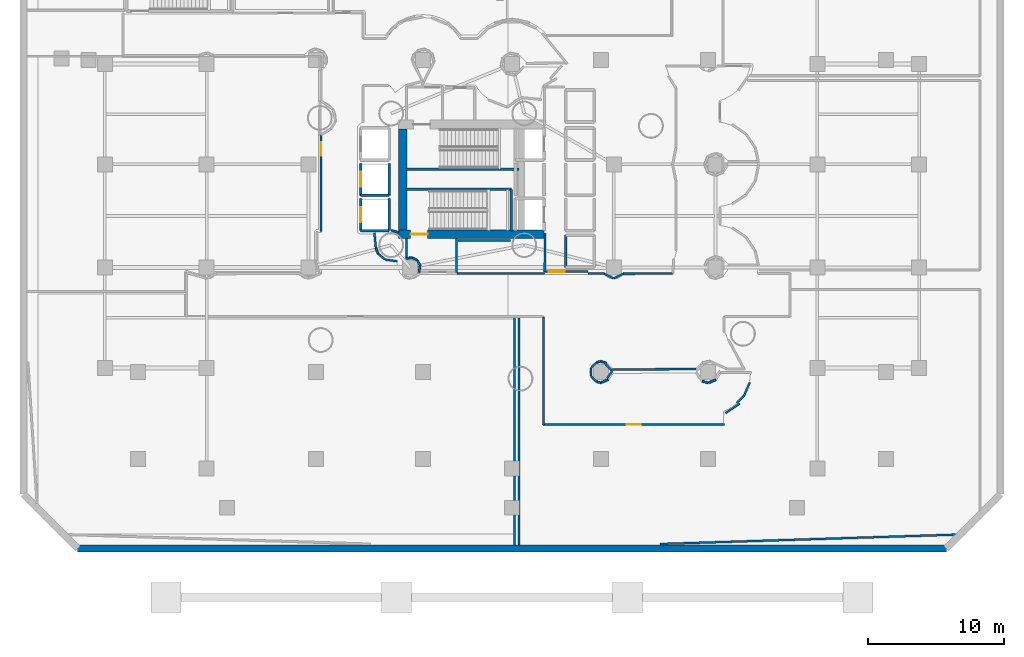
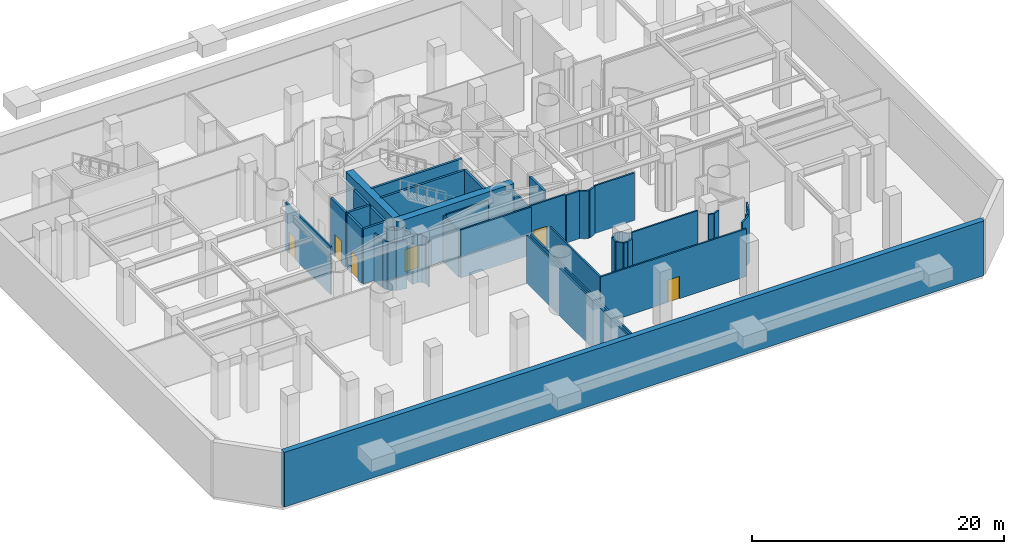
# One storey, part 3 of 11: 53 walls, 6 doors, 6 openings.
"""IFC4 building model written with IfcOpenShell, lengths in metres."""

from ifc_helpers import new_model, si_unit, direction, frame, frame_2d, origin, place, context, subcontext, project, spatial, rectangle, extrude, material, layer, layer_set, type_object, element, fill, save


model = new_model("IFC4")

# Units and contexts
model_context = context("Model", 3, precision=1e-05, world=origin(), true_north=direction((0.0, 1.0)))
body_context = subcontext(model_context, "Body", "Model", "MODEL_VIEW")
ifc_project = project(units=[si_unit("LENGTHUNIT", "METRE"), si_unit("AREAUNIT", "SQUARE_METRE"), si_unit("VOLUMEUNIT", "CUBIC_METRE"), si_unit("PLANEANGLEUNIT", "RADIAN"), si_unit("MASSUNIT", "GRAM", prefix="KILO")], contexts=[model_context])

# Site, building, storey
site_placement = place(None, origin())
site = spatial("IfcSite", under=ifc_project, at=site_placement, CompositionType="ELEMENT")
building_placement = place(site_placement, origin())
building = spatial("IfcBuilding", under=site, at=building_placement, Name="Qianvela Tower", CompositionType="ELEMENT")
storey_placement = place(building_placement, frame((0.0, 0.0, -5.60009765625)))
storey = spatial("IfcBuildingStorey", under=building, at=storey_placement, Name="B01", CompositionType="ELEMENT", Elevation=-5.60009765625)

# Wall, opening, door
ifc_material_1 = material(Name="Concrete C60", Category="concrete")
ifc_layer_1 = layer(ifc_material_1, 0.64990234375)
ifc_layer_set_1 = layer_set([ifc_layer_1], Name="Concrete C60")
wall_type_1 = type_object("IfcWallType", Name="WT-CORE-650", PredefinedType="SHEAR", material=ifc_layer_set_1)
wall_1_placement = place(storey_placement, frame((29.1298828125, 24.655029296875, 0.0), z_axis=(0.0, 0.0, 1.0), x_axis=(1.0, 0.0, 0.0)))
wall_1 = element("IfcWall", 1, at=wall_1_placement, inside=storey, type_object=wall_type_1, Name="B01 South Core Shear Wall", PredefinedType="SHEAR", context=body_context, shape_type="SweptSolid", body=[
    extrude(rectangle(XDim=10.72021484375, YDim=0.64990234375, at=frame_2d((5.360107421875, 0.0))), origin(), (0.0, 0.0, 1.0), 5.300048828125),
])
opening_1_placement = place(wall_1_placement, frame((0.89501953125, 0.0, 0.0)))
opening_1 = element("IfcOpeningElement", 2, at=opening_1_placement, cuts=wall_1, Name="Opening D-ST1", PredefinedType="OPENING", context=body_context, shape_type="SweptSolid", body=[
    extrude(rectangle(XDim=1.25, YDim=2.14990234375, at=frame_2d((0.625, 1.074951171875))), frame((0.0, 0.3349609375, 0.0), z_axis=(0.0, -1.0, 0.0), x_axis=(1.0, 0.0, 0.0)), (0.0, 0.0, 1.0), 0.669921875),
])
ifc_material_2 = material(Name="Galvanised Fire Steel Q355B", Category="steel")
door_type_1 = type_object("IfcDoorType", Name="DT-STAIR-FD90", OperationType="NOTDEFINED", PredefinedType="DOOR", material=ifc_material_2)
door_1_placement = place(opening_1_placement, origin())
door_1 = element("IfcDoor", 3, at=door_1_placement, inside=storey, type_object=door_type_1, Name="B01 Stair ST-2 Exit Door", OperationType="SINGLE_SWING_LEFT", OverallHeight=2.14990234375, OverallWidth=1.25, PredefinedType="DOOR", context=body_context, shape_type="SweptSolid", body=[
    extrude(rectangle(XDim=1.25, YDim=2.14990234375, at=frame_2d((0.625, 1.074951171875))), frame((0.0, 0.02490234375, 0.0), z_axis=(0.0, -1.0, 0.0), x_axis=(1.0, 0.0, 0.0)), (0.0, 0.0, 1.0), 0.050048828125),
])
fill(opening_1, door_1)

# Walls
wall_2_placement = place(storey_placement, frame((29.455078125, 24.97998046875, 0.0), z_axis=(0.0, 0.0, 1.0), x_axis=(0.0, 1.0, 0.0)))
element("IfcWall", 4, at=wall_2_placement, inside=storey, type_object=wall_type_1, Name="B01 West Core Shear Wall", PredefinedType="SHEAR", context=body_context, shape_type="SweptSolid", body=[
    extrude(rectangle(XDim=7.43994140625, YDim=0.64990234375, at=frame_2d((3.719970703125, 0.0))), origin(), (0.0, 0.0, 1.0), 5.300048828125),
])
ifc_material_3 = material(Name="Fire-Rated Acoustic Gypsum Board")
ifc_layer_2 = layer(ifc_material_3, 0.14990234375)
ifc_layer_set_2 = layer_set([ifc_layer_2], Name="Fire-Rated Acoustic Gypsum Board")
wall_type_2 = type_object("IfcWallType", Name="WT-CORR-150", PredefinedType="PARTITIONING", material=ifc_layer_set_2)
wall_3_placement = place(storey_placement, frame((30.644775390625, 21.844970703125, 0.0), z_axis=(0.0, 0.0, 1.0), x_axis=(0.16559769087, 0.986193391165, 0.0)))
element("IfcWall", 5, at=wall_3_placement, inside=storey, type_object=wall_type_2, Name="B01 Partition 5", PredefinedType="PARTITIONING", context=body_context, shape_type="SweptSolid", body=[
    extrude(rectangle(XDim=0.495361328125, YDim=0.14990234375, at=frame_2d((0.24755859375, 0.0))), origin(), (0.0, 0.0, 1.0), 4.47802734375),
])
wall_4_placement = place(storey_placement, frame((30.7236328125, 22.35302734375, 0.0), z_axis=(0.0, 0.0, 1.0), x_axis=(-0.471202615726, 0.882024996773, 0.0)))
element("IfcWall", 6, at=wall_4_placement, inside=storey, type_object=wall_type_2, Name="B01 Partition 6", PredefinedType="PARTITIONING", context=body_context, shape_type="SweptSolid", body=[
    extrude(rectangle(XDim=0.412353515625, YDim=0.14990234375, at=frame_2d((0.2060546875, 0.0))), origin(), (0.0, 0.0, 1.0), 4.47802734375),
])
wall_5_placement = place(storey_placement, frame((30.5166015625, 22.7294921875, 0.0), z_axis=(0.0, 0.0, 1.0), x_axis=(-0.882139655073, 0.470987928665, 0.0)))
element("IfcWall", 7, at=wall_5_placement, inside=storey, type_object=wall_type_2, Name="B01 Partition 7", PredefinedType="PARTITIONING", context=body_context, shape_type="SweptSolid", body=[
    extrude(rectangle(XDim=0.412109375, YDim=0.14990234375, at=frame_2d((0.2060546875, 0.0))), origin(), (0.0, 0.0, 1.0), 4.6201171875),
])
wall_6_placement = place(storey_placement, frame((30.134521484375, 22.927001953125, 0.0), z_axis=(0.0, 0.0, 1.0), x_axis=(-0.992106976416, -0.125394367286, 0.0)))
element("IfcWall", 8, at=wall_6_placement, inside=storey, type_object=wall_type_2, Name="B01 Partition 8", PredefinedType="PARTITIONING", context=body_context, shape_type="SweptSolid", body=[
    extrude(rectangle(XDim=0.44189453125, YDim=0.14990234375, at=frame_2d((0.220947265625, 0.0))), origin(), (0.0, 0.0, 1.0), 4.6201171875),
])
wall_7_placement = place(storey_placement, frame((29.73095703125, 22.8408203125, 0.0), z_axis=(0.0, 0.0, 1.0), x_axis=(0.0, 1.0, 0.0)))
element("IfcWall", 9, at=wall_7_placement, inside=storey, type_object=wall_type_2, Name="B01 Partition 9", PredefinedType="PARTITIONING", context=body_context, shape_type="SweptSolid", body=[
    extrude(rectangle(XDim=1.501220703125, YDim=0.14990234375, at=frame_2d((0.75048828125, 0.0))), origin(), (0.0, 0.0, 1.0), 4.6201171875),
])
wall_8_placement = place(storey_placement, frame((33.4189453125, 24.342041015625, 0.0), z_axis=(0.0, 0.0, 1.0), x_axis=(0.0, -1.0, 0.0)))
element("IfcWall", 10, at=wall_8_placement, inside=storey, type_object=wall_type_2, Name="B01 Partition 11", PredefinedType="PARTITIONING", context=body_context, shape_type="SweptSolid", body=[
    extrude(rectangle(XDim=2.491943359375, YDim=0.14990234375, at=frame_2d((1.24609375, 0.0))), origin(), (0.0, 0.0, 1.0), 4.47802734375),
])

# Wall, opening, door
wall_9_placement = place(storey_placement, frame((43.10009765625, 21.89111328125, 0.0), z_axis=(0.0, 0.0, 1.0), x_axis=(-1.0, 0.0, 0.0)))
wall_9 = element("IfcWall", 11, at=wall_9_placement, inside=storey, type_object=wall_type_2, Name="B01 Partition 18", PredefinedType="PARTITIONING", context=body_context, shape_type="SweptSolid", body=[
    extrude(rectangle(XDim=3.22021484375, YDim=0.14990234375, at=frame_2d((1.610107421875, 0.0))), origin(), (0.0, 0.0, 1.0), 4.6201171875),
])
opening_2_placement = place(wall_9_placement, frame((1.7099609375, 0.0, 0.0)))
opening_2 = element("IfcOpeningElement", 12, at=opening_2_placement, cuts=wall_9, Name="Opening D-LB1", PredefinedType="OPENING", context=body_context, shape_type="SweptSolid", body=[
    extrude(rectangle(XDim=1.199951171875, YDim=2.14990234375, at=frame_2d((0.60009765625, 1.074951171875))), frame((0.0, 0.0849609375, 0.0), z_axis=(0.0, -1.0, 0.0), x_axis=(1.0, 0.0, 0.0)), (0.0, 0.0, 1.0), 0.169921875),
])
ifc_material_4 = material(Name="Glazed Fire-Rated Steel Frame", Category="steel")
door_type_2 = type_object("IfcDoorType", Name="DT-LOBBY-FD90", OperationType="NOTDEFINED", PredefinedType="DOOR", material=ifc_material_4)
door_2_placement = place(opening_2_placement, origin())
door_2 = element("IfcDoor", 13, at=door_2_placement, inside=storey, type_object=door_type_2, Name="B01 Door B01 Lift Lobby to B01 Plant and Bicycle Corridor", OperationType="SINGLE_SWING_RIGHT", OverallHeight=2.14990234375, OverallWidth=1.199951171875, PredefinedType="DOOR", context=body_context, shape_type="SweptSolid", body=[
    extrude(rectangle(XDim=1.199951171875, YDim=2.14990234375, at=frame_2d((0.60009765625, 1.074951171875))), frame((0.0, 0.02490234375, 0.0), z_axis=(0.0, -1.0, 0.0), x_axis=(1.0, 0.0, 0.0)), (0.0, 0.0, 1.0), 0.050048828125),
])
fill(opening_2, door_2)

# Walls
wall_10_placement = place(storey_placement, frame((39.910888671875, 21.85986328125, 0.0), z_axis=(0.0, 0.0, 1.0), x_axis=(0.00479752075, 0.999988491831, 0.0)))
element("IfcWall", 14, at=wall_10_placement, inside=storey, type_object=wall_type_2, Name="B01 Partition 19", PredefinedType="PARTITIONING", context=body_context, shape_type="SweptSolid", body=[
    extrude(rectangle(XDim=2.900634765625, YDim=0.14990234375, at=frame_2d((1.4501953125, 0.0))), origin(), (0.0, 0.0, 1.0), 4.47802734375),
])
wall_11_placement = place(storey_placement, frame((29.1298828125, 24.781982421875, 0.0), z_axis=(0.0, 0.0, 1.0), x_axis=(-0.955000482512, 0.296604245422, 0.0)))
element("IfcWall", 15, at=wall_11_placement, inside=storey, type_object=wall_type_2, Name="B01 Partition 29", PredefinedType="PARTITIONING", context=body_context, shape_type="SweptSolid", body=[
    extrude(rectangle(XDim=0.5244140625, YDim=0.14990234375, at=frame_2d((0.26220703125, 0.0))), origin(), (0.0, 0.0, 1.0), 4.6201171875),
])
wall_12_placement = place(storey_placement, frame((37.388671875, 24.180908203125, 0.0), z_axis=(0.0, 0.0, 1.0), x_axis=(-1.0, 0.0, 0.0)))
element("IfcWall", 16, at=wall_12_placement, inside=storey, type_object=wall_type_2, Name="B01 Partition 35", PredefinedType="PARTITIONING", context=body_context, shape_type="SweptSolid", body=[
    extrude(rectangle(XDim=3.858642578125, YDim=0.14990234375, at=frame_2d((1.92919921875, 0.0))), origin(), (0.0, 0.0, 1.0), 4.6201171875),
])
wall_13_placement = place(storey_placement, frame((27.359619140625, 24.757080078125, 0.0), z_axis=(0.0, 0.0, 1.0), x_axis=(0.097947688066, -0.995191564676, 0.0)))
element("IfcWall", 17, at=wall_13_placement, inside=storey, type_object=wall_type_2, Name="B01 Partition 81", PredefinedType="PARTITIONING", context=body_context, shape_type="SweptSolid", body=[
    extrude(rectangle(XDim=1.134033203125, YDim=0.14990234375, at=frame_2d((0.56689453125, 0.0))), origin(), (0.0, 0.0, 1.0), 4.6201171875),
])
wall_14_placement = place(storey_placement, frame((27.472900390625, 23.61962890625, 0.0), z_axis=(0.0, 0.0, 1.0), x_axis=(0.382631351728, -0.923901103298, 0.0)))
element("IfcWall", 18, at=wall_14_placement, inside=storey, type_object=wall_type_2, Name="B01 Partition 82", PredefinedType="PARTITIONING", context=body_context, shape_type="SweptSolid", body=[
    extrude(rectangle(XDim=0.43701171875, YDim=0.14990234375, at=frame_2d((0.218505859375, 0.0))), origin(), (0.0, 0.0, 1.0), 4.6201171875),
])
wall_15_placement = place(storey_placement, frame((27.649169921875, 23.203857421875, 0.0), z_axis=(0.0, 0.0, 1.0), x_axis=(0.772818338666, -0.634627304346, 0.0)))
element("IfcWall", 19, at=wall_15_placement, inside=storey, type_object=wall_type_2, Name="B01 Partition 83", PredefinedType="PARTITIONING", context=body_context, shape_type="SweptSolid", body=[
    extrude(rectangle(XDim=0.650146484375, YDim=0.14990234375, at=frame_2d((0.3251953125, 0.0))), origin(), (0.0, 0.0, 1.0), 4.6201171875),
])
wall_16_placement = place(storey_placement, frame((28.1669921875, 22.78466796875, 0.0), z_axis=(0.0, 0.0, 1.0), x_axis=(0.989291662385, -0.145952069991, 0.0)))
element("IfcWall", 20, at=wall_16_placement, inside=storey, type_object=wall_type_2, Name="B01 Partition 84", PredefinedType="PARTITIONING", context=body_context, shape_type="SweptSolid", body=[
    extrude(rectangle(XDim=0.889892578125, YDim=0.14990234375, at=frame_2d((0.44482421875, 0.0))), origin(), (0.0, 0.0, 1.0), 4.6201171875),
])
wall_17_placement = place(storey_placement, frame((33.449951171875, 21.7490234375, 0.0), z_axis=(0.0, 0.0, 1.0), x_axis=(1.0, 0.0, 0.0)))
element("IfcWall", 21, at=wall_17_placement, inside=storey, type_object=wall_type_2, Name="B01 Partition 88 seg 1", PredefinedType="PARTITIONING", context=body_context, shape_type="SweptSolid", body=[
    extrude(rectangle(XDim=6.429931640625, YDim=0.14990234375, at=frame_2d((3.21484375, 0.0))), origin(), (0.0, 0.0, 1.0), 4.6201171875),
])
wall_18_placement = place(storey_placement, frame((43.10009765625, 21.7490234375, 0.0), z_axis=(0.0, 0.0, 1.0), x_axis=(1.0, 0.0, 0.0)))
element("IfcWall", 22, at=wall_18_placement, inside=storey, type_object=wall_type_2, Name="B01 Partition 88 seg 2", PredefinedType="PARTITIONING", context=body_context, shape_type="SweptSolid", body=[
    extrude(rectangle(XDim=1.203857421875, YDim=0.14990234375, at=frame_2d((0.60205078125, 0.0))), origin(), (0.0, 0.0, 1.0), 4.6201171875),
])
wall_19_placement = place(storey_placement, frame((44.289794921875, 21.752197265625, 0.0), z_axis=(0.0, 0.0, 1.0), x_axis=(0.893548213857, -0.448967247706, 0.0)))
element("IfcWall", 23, at=wall_19_placement, inside=storey, type_object=wall_type_2, Name="B01 Partition 89", PredefinedType="PARTITIONING", context=body_context, shape_type="SweptSolid", body=[
    extrude(rectangle(XDim=0.779296875, YDim=0.14990234375, at=frame_2d((0.3896484375, 0.0))), origin(), (0.0, 0.0, 1.0), 4.6201171875),
])
wall_20_placement = place(storey_placement, frame((45.013916015625, 21.40234375, 0.0), z_axis=(0.0, 0.0, 1.0), x_axis=(0.894999155255, 0.446067833511, 0.0)))
element("IfcWall", 24, at=wall_20_placement, inside=storey, type_object=wall_type_2, Name="B01 Partition 90", PredefinedType="PARTITIONING", context=body_context, shape_type="SweptSolid", body=[
    extrude(rectangle(XDim=0.767333984375, YDim=0.14990234375, at=frame_2d((0.3837890625, 0.0))), origin(), (0.0, 0.0, 1.0), 4.6201171875),
])
wall_21_placement = place(storey_placement, frame((45.686767578125, 21.7412109375, 0.0), z_axis=(0.0, 0.0, 1.0), x_axis=(0.999997715017, 0.002137746468, 0.0)))
element("IfcWall", 25, at=wall_21_placement, inside=storey, type_object=wall_type_2, Name="B01 Partition 91", PredefinedType="PARTITIONING", context=body_context, shape_type="SweptSolid", body=[
    extrude(rectangle(XDim=3.654541015625, YDim=0.14990234375, at=frame_2d((1.8271484375, 0.0))), origin(), (0.0, 0.0, 1.0), 4.6201171875),
])
wall_22_placement = place(storey_placement, frame((51.068115234375, 14.711669921875, 0.0), z_axis=(0.0, 0.0, 1.0), x_axis=(-0.999996871291, -0.002501481155, 0.0)))
element("IfcWall", 26, at=wall_22_placement, inside=storey, type_object=wall_type_2, Name="B01 Partition 144", PredefinedType="PARTITIONING", context=body_context, shape_type="SweptSolid", body=[
    extrude(rectangle(XDim=6.148681640625, YDim=0.14990234375, at=frame_2d((3.07421875, 0.0))), origin(), (0.0, 0.0, 1.0), 4.6201171875),
])
wall_23_placement = place(storey_placement, frame((44.47021484375, 15.1533203125, 0.0), z_axis=(0.0, 0.0, 1.0), x_axis=(-0.956863871436, 0.290536626849, 0.0)))
element("IfcWall", 27, at=wall_23_placement, inside=storey, type_object=wall_type_2, Name="B01 Partition 145", PredefinedType="PARTITIONING", context=body_context, shape_type="SweptSolid", body=[
    extrude(rectangle(XDim=0.435302734375, YDim=0.14990234375, at=frame_2d((0.2177734375, 0.0))), origin(), (0.0, 0.0, 1.0), 4.6201171875),
])
wall_24_placement = place(storey_placement, frame((44.03857421875, 15.280517578125, 0.0), z_axis=(0.0, 0.0, 1.0), x_axis=(-0.980772662828, -0.195153744134, 0.0)))
element("IfcWall", 28, at=wall_24_placement, inside=storey, type_object=wall_type_2, Name="B01 Partition 146", PredefinedType="PARTITIONING", context=body_context, shape_type="SweptSolid", body=[
    extrude(rectangle(XDim=0.292724609375, YDim=0.14990234375, at=frame_2d((0.146484375, 0.0))), origin(), (0.0, 0.0, 1.0), 4.6201171875),
])
wall_25_placement = place(storey_placement, frame((43.735595703125, 15.21484375, 0.0), z_axis=(0.0, 0.0, 1.0), x_axis=(-0.706894085523, -0.707319412891, 0.0)))
element("IfcWall", 29, at=wall_25_placement, inside=storey, type_object=wall_type_2, Name="B01 Partition 147", PredefinedType="PARTITIONING", context=body_context, shape_type="SweptSolid", body=[
    extrude(rectangle(XDim=0.573974609375, YDim=0.14990234375, at=frame_2d((0.287109375, 0.0))), origin(), (0.0, 0.0, 1.0), 4.6201171875),
])
wall_26_placement = place(storey_placement, frame((43.32080078125, 14.787109375, 0.0), z_axis=(0.0, 0.0, 1.0), x_axis=(0.0, -1.0, 0.0)))
element("IfcWall", 30, at=wall_26_placement, inside=storey, type_object=wall_type_2, Name="B01 Partition 148", PredefinedType="PARTITIONING", context=body_context, shape_type="SweptSolid", body=[
    extrude(rectangle(XDim=0.57421875, YDim=0.14990234375, at=frame_2d((0.287109375, 0.0))), origin(), (0.0, 0.0, 1.0), 4.6201171875),
])
wall_27_placement = place(storey_placement, frame((43.329833984375, 14.191162109375, 0.0), z_axis=(0.0, 0.0, 1.0), x_axis=(0.706894085523, -0.707319412891, 0.0)))
element("IfcWall", 31, at=wall_27_placement, inside=storey, type_object=wall_type_2, Name="B01 Partition 149", PredefinedType="PARTITIONING", context=body_context, shape_type="SweptSolid", body=[
    extrude(rectangle(XDim=0.573974609375, YDim=0.14990234375, at=frame_2d((0.287109375, 0.0))), origin(), (0.0, 0.0, 1.0), 4.6201171875),
])
wall_28_placement = place(storey_placement, frame((43.75146484375, 13.776611328125, 0.0), z_axis=(0.0, 0.0, 1.0), x_axis=(0.980772662828, -0.195153744134, 0.0)))
element("IfcWall", 32, at=wall_28_placement, inside=storey, type_object=wall_type_2, Name="B01 Partition 150", PredefinedType="PARTITIONING", context=body_context, shape_type="SweptSolid", body=[
    extrude(rectangle(XDim=0.292724609375, YDim=0.14990234375, at=frame_2d((0.146484375, 0.0))), origin(), (0.0, 0.0, 1.0), 4.6201171875),
])
wall_29_placement = place(storey_placement, frame((44.056396484375, 13.721435546875, 0.0), z_axis=(0.0, 0.0, 1.0), x_axis=(0.924042733139, 0.382289193324, 0.0)))
element("IfcWall", 33, at=wall_29_placement, inside=storey, type_object=wall_type_2, Name="B01 Partition 151", PredefinedType="PARTITIONING", context=body_context, shape_type="SweptSolid", body=[
    extrude(rectangle(XDim=0.57421875, YDim=0.14990234375, at=frame_2d((0.287109375, 0.0))), origin(), (0.0, 0.0, 1.0), 4.6201171875),
])
wall_30_placement = place(storey_placement, frame((51.5185546875, 13.830078125, 0.0), z_axis=(0.0, 0.0, 1.0), x_axis=(0.956858887343, -0.290553041134, 0.0)))
element("IfcWall", 34, at=wall_30_placement, inside=storey, type_object=wall_type_2, Name="B01 Partition 154", PredefinedType="PARTITIONING", context=body_context, shape_type="SweptSolid", body=[
    extrude(rectangle(XDim=0.447021484375, YDim=0.14990234375, at=frame_2d((0.2236328125, 0.0))), origin(), (0.0, 0.0, 1.0), 4.6201171875),
])
wall_31_placement = place(storey_placement, frame((51.96728515625, 13.701416015625, 0.0), z_axis=(0.0, 0.0, 1.0), x_axis=(0.923835035561, 0.382790839847, 0.0)))
element("IfcWall", 35, at=wall_31_placement, inside=storey, type_object=wall_type_2, Name="B01 Partition 155", PredefinedType="PARTITIONING", context=body_context, shape_type="SweptSolid", body=[
    extrude(rectangle(XDim=0.58935546875, YDim=0.14990234375, at=frame_2d((0.294677734375, 0.0))), origin(), (0.0, 0.0, 1.0), 4.6201171875),
])
wall_32_placement = place(storey_placement, frame((55.017333984375, 13.729248046875, 0.0), z_axis=(0.0, 0.0, 1.0), x_axis=(-0.39658276585, -0.917998970496, 0.0)))
element("IfcWall", 36, at=wall_32_placement, inside=storey, type_object=wall_type_2, Name="B01 Partition 158", PredefinedType="PARTITIONING", context=body_context, shape_type="SweptSolid", body=[
    extrude(rectangle(XDim=1.08349609375, YDim=0.14990234375, at=frame_2d((0.541748046875, 0.0))), origin(), (0.0, 0.0, 1.0), 4.6201171875),
])
wall_33_placement = place(storey_placement, frame((54.59423828125, 12.744140625, 0.0), z_axis=(0.0, 0.0, 1.0), x_axis=(-0.707106781187, -0.707106781187, 0.0)))
element("IfcWall", 37, at=wall_33_placement, inside=storey, type_object=wall_type_2, Name="B01 Partition 159", PredefinedType="PARTITIONING", context=body_context, shape_type="SweptSolid", body=[
    extrude(rectangle(XDim=0.755859375, YDim=0.14990234375, at=frame_2d((0.3779296875, 0.0))), origin(), (0.0, 0.0, 1.0), 4.6201171875),
])

# Wall, opening, door
wall_34_placement = place(storey_placement, frame((53.14990234375, 10.631103515625, 0.0), z_axis=(0.0, 0.0, 1.0), x_axis=(-1.0, 0.0, 0.0)))
wall_34 = element("IfcWall", 38, at=wall_34_placement, inside=storey, type_object=wall_type_2, Name="B01 Partition 161", PredefinedType="PARTITIONING", context=body_context, shape_type="SweptSolid", body=[
    extrude(rectangle(XDim=13.349853515625, YDim=0.14990234375, at=frame_2d((6.6748046875, 0.0))), origin(), (0.0, 0.0, 1.0), 4.6201171875),
])
opening_3_placement = place(wall_34_placement, frame((6.14990234375, 0.0, 0.0)))
opening_3 = element("IfcOpeningElement", 39, at=opening_3_placement, cuts=wall_34, Name="Opening D-PL1", PredefinedType="OPENING", context=body_context, shape_type="SweptSolid", body=[
    extrude(rectangle(XDim=1.050048828125, YDim=2.14990234375, at=frame_2d((0.52490234375, 1.074951171875))), frame((0.0, 0.0849609375, 0.0), z_axis=(0.0, -1.0, 0.0), x_axis=(1.0, 0.0, 0.0)), (0.0, 0.0, 1.0), 0.169921875),
])
ifc_material_5 = material(Name="Insulated Steel Fire Door Q355B", Category="steel")
door_type_3 = type_object("IfcDoorType", Name="DT-PLANT-FD90", OperationType="NOTDEFINED", PredefinedType="DOOR", material=ifc_material_5)
door_3_placement = place(opening_3_placement, origin())
door_3 = element("IfcDoor", 40, at=door_3_placement, inside=storey, type_object=door_type_3, Name="B01 Door B01 Low Voltage Main Switchboard Room to B01 Plant and Bicycle Corridor", OperationType="SINGLE_SWING_LEFT", OverallHeight=2.14990234375, OverallWidth=1.050048828125, PredefinedType="DOOR", context=body_context, shape_type="SweptSolid", body=[
    extrude(rectangle(XDim=1.050048828125, YDim=2.14990234375, at=frame_2d((0.52490234375, 1.074951171875))), frame((0.0, 0.02490234375, 0.0), z_axis=(0.0, -1.0, 0.0), x_axis=(1.0, 0.0, 0.0)), (0.0, 0.0, 1.0), 0.050048828125),
])
fill(opening_3, door_3)

# Wall
wall_35_placement = place(storey_placement, frame((39.8310546875, 10.60009765625, 0.0), z_axis=(0.0, 0.0, 1.0), x_axis=(0.0, 1.0, 0.0)))
element("IfcWall", 41, at=wall_35_placement, inside=storey, type_object=wall_type_2, Name="B01 Partition 162", PredefinedType="PARTITIONING", context=body_context, shape_type="SweptSolid", body=[
    extrude(rectangle(XDim=7.949951171875, YDim=0.14990234375, at=frame_2d((3.97509765625, 0.0))), origin(), (0.0, 0.0, 1.0), 4.6201171875),
])

# Wall, opening, door
wall_36_placement = place(storey_placement, frame((23.430908203125, 24.85009765625, 0.0), z_axis=(0.0, 0.0, 1.0), x_axis=(0.0, 1.0, 0.0)))
wall_36 = element("IfcWall", 42, at=wall_36_placement, inside=storey, type_object=wall_type_2, Name="B01 Partition 172", PredefinedType="PARTITIONING", context=body_context, shape_type="SweptSolid", body=[
    extrude(rectangle(XDim=7.147216796875, YDim=0.14990234375, at=frame_2d((3.57373046875, 0.0))), origin(), (0.0, 0.0, 1.0), 4.6201171875),
])
opening_4_placement = place(wall_36_placement, frame((5.603759765625, 0.0, 0.0)))
opening_4 = element("IfcOpeningElement", 43, at=opening_4_placement, cuts=wall_36, Name="Opening D-RM1", PredefinedType="OPENING", context=body_context, shape_type="SweptSolid", body=[
    extrude(rectangle(XDim=0.97998046875, YDim=2.10009765625, at=frame_2d((0.489990234375, 1.050048828125))), frame((0.0, 0.0849609375, 0.0), z_axis=(0.0, -1.0, 0.0), x_axis=(1.0, 0.0, 0.0)), (0.0, 0.0, 1.0), 0.169921875),
])
ifc_material_6 = material(Name="Solid Core Acoustic Timber Fire Door", Category="wood")
door_type_4 = type_object("IfcDoorType", Name="DT-ROOM-FD60", OperationType="NOTDEFINED", PredefinedType="DOOR", material=ifc_material_6)
door_4_placement = place(opening_4_placement, origin())
door_4 = element("IfcDoor", 44, at=door_4_placement, inside=storey, type_object=door_type_4, Name="B01 Door B01 Commuter Bicycle Storage West to B01 Plant and Bicycle Corridor", OperationType="SINGLE_SWING_LEFT", OverallHeight=2.10009765625, OverallWidth=0.97998046875, PredefinedType="DOOR", context=body_context, shape_type="SweptSolid", body=[
    extrude(rectangle(XDim=0.97998046875, YDim=2.10009765625, at=frame_2d((0.489990234375, 1.050048828125))), frame((0.0, 0.02490234375, 0.0), z_axis=(0.0, -1.0, 0.0), x_axis=(1.0, 0.0, 0.0)), (0.0, 0.0, 1.0), 0.050048828125),
])
fill(opening_4, door_4)

# Walls
wall_37_placement = place(storey_placement, frame((70.182861328125, 2.519287109375, 0.0), z_axis=(0.0, 0.0, 1.0), x_axis=(-0.99949896128, -0.031651641345, 0.0)))
element("IfcWall", 45, at=wall_37_placement, inside=storey, type_object=wall_type_2, Name="B01 Partition 236 seg 1", PredefinedType="PARTITIONING", context=body_context, shape_type="SweptSolid", body=[
    extrude(rectangle(XDim=21.77490234375, YDim=0.14990234375, at=frame_2d((10.887451171875, 0.0))), origin(), (0.0, 0.0, 1.0), 4.6201171875),
])
wall_38_placement = place(storey_placement, frame((38.031005859375, 1.738037109375, 0.0), z_axis=(0.0, 0.0, 1.0), x_axis=(0.0, 1.0, 0.0)))
element("IfcWall", 46, at=wall_38_placement, inside=storey, type_object=wall_type_2, Name="B01 Partition 237", PredefinedType="PARTITIONING", context=body_context, shape_type="SweptSolid", body=[
    extrude(rectangle(XDim=16.75, YDim=0.14990234375, at=frame_2d((8.375, 0.0))), origin(), (0.0, 0.0, 1.0), 4.6201171875),
])
wall_39_placement = place(storey_placement, frame((53.229248046875, 11.47119140625, 0.0), z_axis=(0.0, 0.0, 1.0), x_axis=(0.832672927518, 0.55376510885, 0.0)))
element("IfcWall", 47, at=wall_39_placement, inside=storey, type_object=wall_type_2, Name="B01 Partition 241", PredefinedType="PARTITIONING", context=body_context, shape_type="SweptSolid", body=[
    extrude(rectangle(XDim=1.265869140625, YDim=0.14990234375, at=frame_2d((0.6328125, 0.0))), origin(), (0.0, 0.0, 1.0), 4.6201171875),
])
wall_40_placement = place(storey_placement, frame((44.88818359375, 14.565185546875, 0.0), z_axis=(0.0, 0.0, 1.0), x_axis=(-0.583804708671, -0.811894120026, 0.0)))
element("IfcWall", 48, at=wall_40_placement, inside=storey, type_object=wall_type_2, Name="B01 Partition 249", PredefinedType="PARTITIONING", context=body_context, shape_type="SweptSolid", body=[
    extrude(rectangle(XDim=0.65625, YDim=0.14990234375, at=frame_2d((0.328125, 0.0))), origin(), (0.0, 0.0, 1.0), 4.6201171875),
])
wall_41_placement = place(storey_placement, frame((44.40478515625, 15.048583984375, 0.0), z_axis=(0.0, 0.0, 1.0), x_axis=(0.721777422224, -0.692125243556, 0.0)))
element("IfcWall", 49, at=wall_41_placement, inside=storey, type_object=wall_type_2, Name="B01 Partition 255", PredefinedType="PARTITIONING", context=body_context, shape_type="SweptSolid", body=[
    extrude(rectangle(XDim=0.675048828125, YDim=0.14990234375, at=frame_2d((0.33740234375, 0.0))), origin(), (0.0, 0.0, 1.0), 4.6201171875),
])
wall_42_placement = place(storey_placement, frame((37.6689453125, 18.488037109375, 0.0), z_axis=(0.0, 0.0, 1.0), x_axis=(0.0, -1.0, 0.0)))
element("IfcWall", 50, at=wall_42_placement, inside=storey, type_object=wall_type_2, Name="B01 Partition 271", PredefinedType="PARTITIONING", context=body_context, shape_type="SweptSolid", body=[
    extrude(rectangle(XDim=16.75, YDim=0.14990234375, at=frame_2d((8.375, 0.0))), origin(), (0.0, 0.0, 1.0), 4.6201171875),
])
ifc_material_7 = material(Name="Waterproof Concrete C50", Category="concrete")
ifc_layer_3 = layer(ifc_material_7, 0.5)
ifc_layer_set_3 = layer_set([ifc_layer_3], Name="Waterproof Concrete C50")
wall_type_3 = type_object("IfcWallType", Name="WT-RET-500", PredefinedType="SOLIDWALL", material=ifc_layer_set_3)
wall_43_placement = place(storey_placement, frame((5.5, 1.5, 0.0), z_axis=(0.0, 0.0, 1.0), x_axis=(1.0, 0.0, 0.0)))
element("IfcWall", 51, at=wall_43_placement, inside=storey, type_object=wall_type_3, Name="B01 Perimeter Diaphragm Retaining Wall 1", PredefinedType="SOLIDWALL", context=body_context, shape_type="SweptSolid", body=[
    extrude(rectangle(XDim=64.0, YDim=0.5, at=frame_2d((32.0, 0.0))), origin(), (0.0, 0.0, 1.0), 5.300048828125),
])
ifc_material_8 = material(Name="Concrete C50", Category="concrete")
ifc_layer_4 = layer(ifc_material_8, 0.199951171875)
ifc_layer_set_4 = layer_set([ifc_layer_4], Name="Concrete C50")
wall_type_4 = type_object("IfcWallType", Name="WT-SHAFT-200", PredefinedType="SOLIDWALL", material=ifc_layer_set_4)
wall_44_placement = place(storey_placement, frame((29.699951171875, 29.449951171875, 0.0), z_axis=(0.0, 0.0, 1.0), x_axis=(1.0, 0.0, 0.0)))
element("IfcWall", 52, at=wall_44_placement, inside=storey, type_object=wall_type_4, Name="B01 Stair ST-1 South Wall", PredefinedType="SOLIDWALL", context=body_context, shape_type="SweptSolid", body=[
    extrude(rectangle(XDim=8.300048828125, YDim=0.199951171875, at=frame_2d((4.14990234375, 0.0))), origin(), (0.0, 0.0, 1.0), 5.300048828125),
])
wall_45_placement = place(storey_placement, frame((29.699951171875, 27.9599609375, 0.0), z_axis=(0.0, 0.0, 1.0), x_axis=(1.0, 0.0, 0.0)))
element("IfcWall", 53, at=wall_45_placement, inside=storey, type_object=wall_type_4, Name="B01 Stair ST-2 North Wall", PredefinedType="SOLIDWALL", context=body_context, shape_type="SweptSolid", body=[
    extrude(rectangle(XDim=7.75, YDim=0.199951171875, at=frame_2d((3.875, 0.0))), origin(), (0.0, 0.0, 1.0), 5.300048828125),
])
wall_46_placement = place(storey_placement, frame((37.449951171875, 24.89990234375, 0.0), z_axis=(0.0, 0.0, 1.0), x_axis=(0.0, 1.0, 0.0)))
element("IfcWall", 54, at=wall_46_placement, inside=storey, type_object=wall_type_4, Name="B01 Stair ST-2 East Wall", PredefinedType="SOLIDWALL", context=body_context, shape_type="SweptSolid", body=[
    extrude(rectangle(XDim=3.06005859375, YDim=0.199951171875, at=frame_2d((1.530029296875, 0.0))), origin(), (0.0, 0.0, 1.0), 5.300048828125),
])
wall_47_placement = place(storey_placement, frame((28.449951171875, 27.52001953125, 0.0), z_axis=(0.0, 0.0, 1.0), x_axis=(0.0, 1.0, 0.0)))
element("IfcWall", 55, at=wall_47_placement, inside=storey, type_object=wall_type_4, Name="B01 Lift PL-L2 E Shaft Wall", PredefinedType="SOLIDWALL", context=body_context, shape_type="SweptSolid", body=[
    extrude(rectangle(XDim=2.35986328125, YDim=0.199951171875, at=frame_2d((1.179931640625, 0.0))), origin(), (0.0, 0.0, 1.0), 5.300048828125),
])

# Wall, opening, door
wall_48_placement = place(storey_placement, frame((26.35009765625, 27.52001953125, 0.0), z_axis=(0.0, 0.0, 1.0), x_axis=(0.0, 1.0, 0.0)))
wall_48 = element("IfcWall", 56, at=wall_48_placement, inside=storey, type_object=wall_type_4, Name="B01 Lift PL-L2 W Shaft Wall", PredefinedType="SOLIDWALL", context=body_context, shape_type="SweptSolid", body=[
    extrude(rectangle(XDim=2.35986328125, YDim=0.199951171875, at=frame_2d((1.179931640625, 0.0))), origin(), (0.0, 0.0, 1.0), 5.300048828125),
])
opening_5_placement = place(wall_48_placement, frame((0.6298828125, 0.0, 0.0)))
opening_5 = element("IfcOpeningElement", 57, at=opening_5_placement, cuts=wall_48, Name="Opening LD-01", PredefinedType="OPENING", context=body_context, shape_type="SweptSolid", body=[
    extrude(rectangle(XDim=1.10009765625, YDim=2.14990234375, at=frame_2d((0.550048828125, 1.074951171875))), frame((0.0, 0.10986328125, 0.0), z_axis=(0.0, -1.0, 0.0), x_axis=(1.0, 0.0, 0.0)), (0.0, 0.0, 1.0), 0.219970703125),
])
ifc_material_9 = material(Name="Brushed Stainless Steel Lift Landing Door", Category="steel")
door_type_5 = type_object("IfcDoorType", Name="DT-LIFT-SLIDE-1100", OperationType="SLIDING_TO_LEFT", PredefinedType="DOOR", material=ifc_material_9)
door_5_placement = place(opening_5_placement, origin())
door_5 = element("IfcDoor", 58, at=door_5_placement, inside=storey, type_object=door_type_5, Name="B01 Lift PL-L2 Sliding Landing Door", OperationType="SLIDING_TO_LEFT", OverallHeight=2.14990234375, OverallWidth=1.10009765625, PredefinedType="DOOR", context=body_context, shape_type="SweptSolid", body=[
    extrude(rectangle(XDim=1.10009765625, YDim=2.14990234375, at=frame_2d((0.550048828125, 1.074951171875))), frame((0.0, 0.02490234375, 0.0), z_axis=(0.0, -1.0, 0.0), x_axis=(1.0, 0.0, 0.0)), (0.0, 0.0, 1.0), 0.050048828125),
])
fill(opening_5, door_5)

# Walls
wall_49_placement = place(storey_placement, frame((26.35009765625, 27.52001953125, 0.0), z_axis=(0.0, 0.0, 1.0), x_axis=(1.0, 0.0, 0.0)))
element("IfcWall", 59, at=wall_49_placement, inside=storey, type_object=wall_type_4, Name="B01 Lift PL-L2 S Shaft Wall", PredefinedType="SOLIDWALL", context=body_context, shape_type="SweptSolid", body=[
    extrude(rectangle(XDim=2.099853515625, YDim=0.199951171875, at=frame_2d((1.0498046875, 0.0))), origin(), (0.0, 0.0, 1.0), 5.300048828125),
])
wall_50_placement = place(storey_placement, frame((28.449951171875, 24.919921875, 0.0), z_axis=(0.0, 0.0, 1.0), x_axis=(0.0, 1.0, 0.0)))
element("IfcWall", 60, at=wall_50_placement, inside=storey, type_object=wall_type_4, Name="B01 Lift PL-L3 E Shaft Wall", PredefinedType="SOLIDWALL", context=body_context, shape_type="SweptSolid", body=[
    extrude(rectangle(XDim=2.360107421875, YDim=0.199951171875, at=frame_2d((1.18017578125, 0.0))), origin(), (0.0, 0.0, 1.0), 5.300048828125),
])

# Wall, opening, door
wall_51_placement = place(storey_placement, frame((26.35009765625, 24.919921875, 0.0), z_axis=(0.0, 0.0, 1.0), x_axis=(0.0, 1.0, 0.0)))
wall_51 = element("IfcWall", 61, at=wall_51_placement, inside=storey, type_object=wall_type_4, Name="B01 Lift PL-L3 W Shaft Wall", PredefinedType="SOLIDWALL", context=body_context, shape_type="SweptSolid", body=[
    extrude(rectangle(XDim=2.360107421875, YDim=0.199951171875, at=frame_2d((1.18017578125, 0.0))), origin(), (0.0, 0.0, 1.0), 5.300048828125),
])
opening_6_placement = place(wall_51_placement, frame((0.6298828125, 0.0, 0.0)))
opening_6 = element("IfcOpeningElement", 62, at=opening_6_placement, cuts=wall_51, Name="Opening LD-01", PredefinedType="OPENING", context=body_context, shape_type="SweptSolid", body=[
    extrude(rectangle(XDim=1.10009765625, YDim=2.14990234375, at=frame_2d((0.550048828125, 1.074951171875))), frame((0.0, 0.10986328125, 0.0), z_axis=(0.0, -1.0, 0.0), x_axis=(1.0, 0.0, 0.0)), (0.0, 0.0, 1.0), 0.219970703125),
])
door_6_placement = place(opening_6_placement, origin())
door_6 = element("IfcDoor", 63, at=door_6_placement, inside=storey, type_object=door_type_5, Name="B01 Lift PL-L3 Sliding Landing Door", OperationType="SLIDING_TO_LEFT", OverallHeight=2.14990234375, OverallWidth=1.10009765625, PredefinedType="DOOR", context=body_context, shape_type="SweptSolid", body=[
    extrude(rectangle(XDim=1.10009765625, YDim=2.14990234375, at=frame_2d((0.550048828125, 1.074951171875))), frame((0.0, 0.02490234375, 0.0), z_axis=(0.0, -1.0, 0.0), x_axis=(1.0, 0.0, 0.0)), (0.0, 0.0, 1.0), 0.050048828125),
])
fill(opening_6, door_6)

# Walls
wall_52_placement = place(storey_placement, frame((26.35009765625, 24.919921875, 0.0), z_axis=(0.0, 0.0, 1.0), x_axis=(1.0, 0.0, 0.0)))
element("IfcWall", 64, at=wall_52_placement, inside=storey, type_object=wall_type_4, Name="B01 Lift PL-L3 S Shaft Wall", PredefinedType="SOLIDWALL", context=body_context, shape_type="SweptSolid", body=[
    extrude(rectangle(XDim=2.099853515625, YDim=0.199951171875, at=frame_2d((1.0498046875, 0.0))), origin(), (0.0, 0.0, 1.0), 5.300048828125),
])
wall_53_placement = place(storey_placement, frame((41.449951171875, 22.219970703125, 0.0), z_axis=(0.0, 0.0, 1.0), x_axis=(0.0, 1.0, 0.0)))
element("IfcWall", 65, at=wall_53_placement, inside=storey, type_object=wall_type_4, Name="B01 Lift PL-H2 W Shaft Wall", PredefinedType="SOLIDWALL", context=body_context, shape_type="SweptSolid", body=[
    extrude(rectangle(XDim=2.360107421875, YDim=0.199951171875, at=frame_2d((1.18017578125, 0.0))), origin(), (0.0, 0.0, 1.0), 5.300048828125),
])

save(model, "model.ifc")
